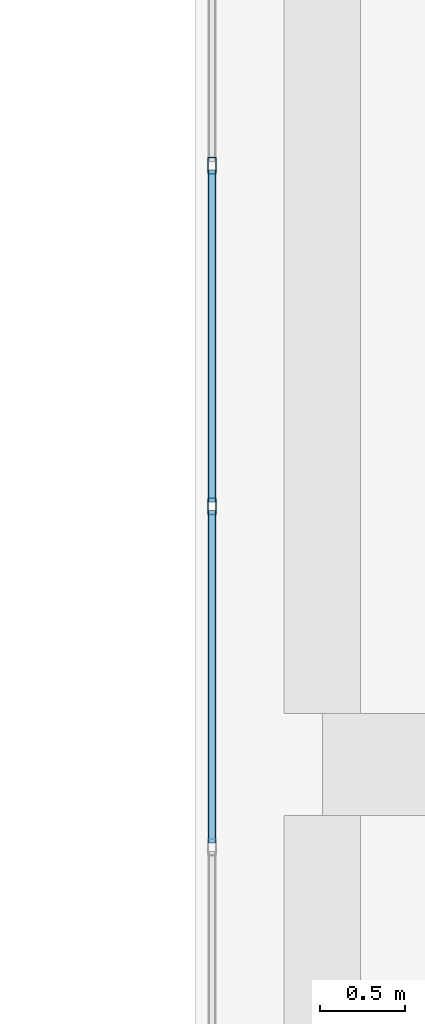
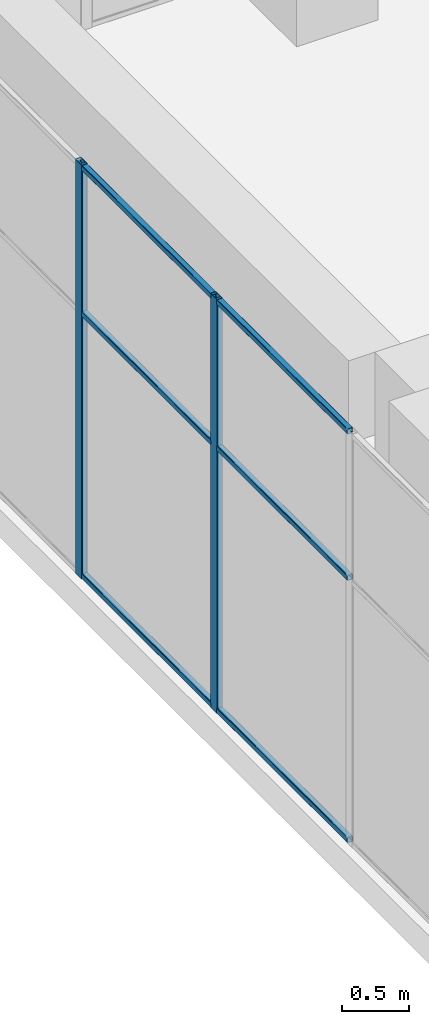
# One storey, part 16 of 43: 8 members, 1 element without a shape of its own.
"""IFC4 building model written with IfcOpenShell, lengths in metres."""

import ifcopenshell
import ifcopenshell.guid

model = None  # the IFC model being written
_history = None  # IfcOwnerHistory: only IFC2X3 demands one
_inside = {}  # id of a spatial element -> (the spatial element, [elements in it])
_under = {}  # id of a project, library or spatial element -> (it, [spatial elements below it])
_declared = {}  # id of a project -> (the project, [libraries it declares])
_typed = {}  # id of a type object -> (the type object, [elements of that type])
_made_of = {}  # id of a material, layer set ... -> (it, [elements and type objects made of it])


def new_model(schema):
    """Start an empty IFC model of exactly this schema.

    Asked for "IFC4X3", IfcOpenShell would pick the latest addendum, in which some entities
    have other attributes; the version numbers below select the first issue.
    IFC2X3 requires an IfcOwnerHistory on every rooted entity: one is made here for all.
    """
    global model, _history
    if schema == "IFC4X3":
        model = ifcopenshell.file(schema_version=(4, 3, 0, 0))
    else:
        model = ifcopenshell.file(schema=schema)
    _inside.clear()
    _under.clear()
    _declared.clear()
    _typed.clear()
    _made_of.clear()
    _history = None
    if model.schema == "IFC2X3":
        org = make("IfcOrganization", Name="unknown")
        user = make(
            "IfcPersonAndOrganization",
            ThePerson=make("IfcPerson", FamilyName="unknown"),
            TheOrganization=org,
        )
        app = make(
            "IfcApplication",
            ApplicationDeveloper=org,
            Version="unknown",
            ApplicationFullName="unknown",
            ApplicationIdentifier="unknown",
        )
        _history = make(
            "IfcOwnerHistory",
            OwningUser=user,
            OwningApplication=app,
            ChangeAction="ADDED",
            CreationDate=0,
        )
    return model


def make(cls, **values):
    """One entity of the class cls with the attributes given. An attribute that is None is left unset."""
    return model.create_entity(
        cls, **{name: value for name, value in values.items() if value is not None}
    )


def rooted(cls, **values):
    """An entity with a GlobalId (a new one), such as an element, a storey or a relation."""
    return make(cls, GlobalId=ifcopenshell.guid.new(), OwnerHistory=_history, **values)


def si_unit(unit_type, name, prefix=None):
    """IfcSIUnit, for example si_unit("LENGTHUNIT", "METRE", prefix="MILLI")."""
    return make("IfcSIUnit", UnitType=unit_type, Prefix=prefix, Name=name)


def assignment(units):
    """IfcUnitAssignment: the units of a project."""
    return None if units is None else make("IfcUnitAssignment", Units=units)


def point(xyz):
    """IfcCartesianPoint."""
    return None if xyz is None else make("IfcCartesianPoint", Coordinates=xyz)


def direction(xyz):
    """IfcDirection."""
    return None if xyz is None else make("IfcDirection", DirectionRatios=xyz)


def frame(location, z_axis=None, x_axis=None):
    """IfcAxis2Placement3D, a coordinate frame: its origin and axes. An axis left out is left unset."""
    return make(
        "IfcAxis2Placement3D",
        Location=point(location),
        Axis=direction(z_axis),
        RefDirection=direction(x_axis),
    )


def frame_2d(location, x_axis=None):
    """IfcAxis2Placement2D, a coordinate frame in the plane: its origin and x axis."""
    return make(
        "IfcAxis2Placement2D", Location=point(location), RefDirection=direction(x_axis)
    )


def origin():
    """The frame at (0, 0, 0) with its axes left unset."""
    return frame((0.0, 0.0, 0.0))


def origin_2d():
    """The frame at (0, 0) in the plane with its x axis left unset."""
    return frame_2d((0.0, 0.0))


def place(relative_to, where):
    """IfcLocalPlacement: puts the frame where relative to a parent placement (None: the world)."""
    return make(
        "IfcLocalPlacement", PlacementRelTo=relative_to, RelativePlacement=where
    )


def context(
    kind, dimensions, precision=None, world=None, true_north=None, identifier=None
):
    """IfcGeometricRepresentationContext, for example the 3D "Model" context."""
    return make(
        "IfcGeometricRepresentationContext",
        ContextIdentifier=identifier,
        ContextType=kind,
        CoordinateSpaceDimension=dimensions,
        Precision=precision,
        WorldCoordinateSystem=world,
        TrueNorth=true_north,
    )


def subcontext(parent, identifier, kind, view, scale=None):
    """IfcGeometricRepresentationSubContext, for example "Body" below "Model"."""
    return make(
        "IfcGeometricRepresentationSubContext",
        ContextIdentifier=identifier,
        ContextType=kind,
        ParentContext=parent,
        TargetScale=scale,
        TargetView=view,
    )


def project(units=None, contexts=None):
    """IfcProject with its units and contexts."""
    return rooted(
        "IfcProject",
        Name="project",
        RepresentationContexts=contexts,
        UnitsInContext=assignment(units),
    )


def spatial(cls, under=None, at=None, **own):
    """A site, building, storey or space (cls), placed at a placement, below another one or the project."""
    s = rooted(cls, ObjectPlacement=at, **own)
    if under is not None:
        _under.setdefault(under.id(), (under, []))[1].append(s)
    return s


def profile(cls, at=None, kind="AREA", **sizes):
    """A parametric profile (cls). Its sizes go by their IFC names, for example OverallWidth=200.0."""
    return make(cls, ProfileType=kind, Position=at, **sizes)


def hollow_rectangle(**sizes):
    """IfcRectangleHollowProfileDef."""
    return profile("IfcRectangleHollowProfileDef", **sizes)


def extrude(swept, where, along, depth):
    """IfcExtrudedAreaSolid: the profile swept, set in the frame where, extruded along a direction by depth."""
    return make(
        "IfcExtrudedAreaSolid",
        SweptArea=swept,
        Position=where,
        ExtrudedDirection=direction(along),
        Depth=depth,
    )


def shape(context_of_items, identifier, shape_type, items):
    """IfcShapeRepresentation: the items that make up one representation, for example the "Body"."""
    return make(
        "IfcShapeRepresentation",
        ContextOfItems=context_of_items,
        RepresentationIdentifier=identifier,
        RepresentationType=shape_type,
        Items=items,
    )


def material(Name=None, Category=None):
    """IfcMaterial."""
    return make("IfcMaterial", Name=Name, Category=Category)


def layer(
    of_material, thickness, ventilated=None, Name=None, Category=None, Priority=None
):
    """IfcMaterialLayer: one layer of a wall or slab, of a material (None: an air gap)."""
    return make(
        "IfcMaterialLayer",
        Material=of_material,
        LayerThickness=thickness,
        IsVentilated=ventilated,
        Name=Name,
        Category=Category,
        Priority=Priority,
    )


def layer_set(layers, Name=None):
    """IfcMaterialLayerSet."""
    return make("IfcMaterialLayerSet", MaterialLayers=layers, LayerSetName=Name)


def material_profile(
    of_material, cross_section, Name=None, Category=None, Priority=None
):
    """IfcMaterialProfile: a cross section and its material."""
    return make(
        "IfcMaterialProfile",
        Name=Name,
        Material=of_material,
        Profile=cross_section,
        Priority=Priority,
        Category=Category,
    )


def profile_set(profiles, Name=None, composite=None):
    """IfcMaterialProfileSet."""
    return make(
        "IfcMaterialProfileSet",
        Name=Name,
        MaterialProfiles=profiles,
        CompositeProfile=composite,
    )


def made_of(thing, what):
    """Note that an element or type object is made of a material, layer set ...; save() writes the relation."""
    if what is not None:
        _made_of.setdefault(what.id(), (what, []))[1].append(thing)
    return thing


def type_object(cls, material=None, **own):
    """A type object (cls), such as IfcWallType, which elements share."""
    return made_of(rooted(cls, **own), material)


def element(
    cls,
    number,
    at=None,
    inside=None,
    cuts=None,
    type_object=None,
    material=None,
    context=None,
    identifier="Body",
    shape_type=None,
    held_by="IfcProductDefinitionShape",
    body=None,
    shapes=None,
    **own,
):
    """One element of the class cls, such as IfcWall. Its Tag is "e" and its number.

    at: its placement. inside: the storey or other place that contains it. cuts: it is an
    opening in that element (IfcRelVoidsElement). A single representation is given by context,
    identifier, shape_type and body (its items); several are given by shapes. held_by: the class
    of the entity that holds the representations. save() writes the other relations.
    """
    e = rooted(cls, Tag="e%d" % number, ObjectPlacement=at, **own)
    if body is not None:
        shapes = [shape(context, identifier, shape_type, body)]
    if shapes is not None:
        e.Representation = make(held_by, Representations=shapes)
    if inside is not None:
        _inside.setdefault(inside.id(), (inside, []))[1].append(e)
    if cuts is not None:
        rooted(
            "IfcRelVoidsElement", RelatingBuildingElement=cuts, RelatedOpeningElement=e
        )
    if type_object is not None:
        _typed.setdefault(type_object.id(), (type_object, []))[1].append(e)
    return made_of(e, material)


def aggregate(whole, parts):
    """IfcRelAggregates: a whole, such as a stair, and the parts it consists of."""
    return rooted("IfcRelAggregates", RelatingObject=whole, RelatedObjects=parts)


def save(model, path):
    """Write the relations noted so far, then the file.

    IfcRelAggregates (storeys below a building ...), IfcRelContainedInSpatialStructure (elements
    in a storey), IfcRelDefinesByType, IfcRelAssociatesMaterial and IfcRelDeclares: one each for
    every whole, place, type object, material and project.
    """
    for whole, parts in _under.values():
        aggregate(whole, parts)
    for where, things in _inside.values():
        rooted(
            "IfcRelContainedInSpatialStructure",
            RelatedElements=things,
            RelatingStructure=where,
        )
    for kind, things in _typed.values():
        rooted("IfcRelDefinesByType", RelatedObjects=things, RelatingType=kind)
    for what, things in _made_of.values():
        rooted("IfcRelAssociatesMaterial", RelatedObjects=things, RelatingMaterial=what)
    for by, libraries in _declared.values():
        rooted("IfcRelDeclares", RelatingContext=by, RelatedDefinitions=libraries)
    model.write(path)


model = new_model("IFC4")

# Units and contexts
model_context = context("Model", 3, precision=1e-05, world=origin(), true_north=direction((0.0, 1.0)))
body_context = subcontext(model_context, "Body", "Model", "MODEL_VIEW")
ifc_project = project(units=[si_unit("LENGTHUNIT", "METRE"), si_unit("AREAUNIT", "SQUARE_METRE"), si_unit("VOLUMEUNIT", "CUBIC_METRE"), si_unit("PLANEANGLEUNIT", "RADIAN"), si_unit("MASSUNIT", "GRAM", prefix="KILO")], contexts=[model_context])

# Site, building, storey
site_placement = place(None, origin())
site = spatial("IfcSite", under=ifc_project, at=site_placement, CompositionType="ELEMENT")
building_placement = place(site_placement, origin())
building = spatial("IfcBuilding", under=site, at=building_placement, Name="Tuart Plaza Theatre", CompositionType="ELEMENT")
storey_placement = place(building_placement, frame((0.0, 0.0, 33.5)))
storey = spatial("IfcBuildingStorey", under=building, at=storey_placement, Name="L08", CompositionType="ELEMENT", Elevation=33.5)

# Curtain wall, members
ifc_material_1 = material(Name="Aluminium and glass", Category="aluminium")
ifc_layer = layer(ifc_material_1, 0.10009765625)
ifc_layer_set = layer_set([ifc_layer], Name="CURTAIN WALL 2000 module")
curtain_wall_type = type_object("IfcCurtainWallType", Name="CURTAIN WALL 2000 module", PredefinedType="NOTDEFINED", material=ifc_layer_set)
curtain_wall_placement = place(storey_placement, origin())
curtain_wall = element("IfcCurtainWall", 1, at=curtain_wall_placement, inside=storey, type_object=curtain_wall_type, Name="CW97", PredefinedType="NOTDEFINED")
ifc_material_2 = material(Name="Aluminium 6063-T5", Category="aluminium")
ifc_material_profile_1 = material_profile(ifc_material_2, hollow_rectangle(XDim=0.050048828125, YDim=0.10009765625, WallThickness=0.00390625, InnerFilletRadius=0.00390625, OuterFilletRadius=0.008056640625, at=origin_2d()), Name="RHS 100x50x4")
ifc_profile_set_1 = profile_set([ifc_material_profile_1], Name="Aluminium 6063-T5")
member_type_1 = type_object("IfcMemberType", Name="MULLION RHS 100x50x4", PredefinedType="MULLION", material=ifc_profile_set_1)
member_1_placement = place(storey_placement, frame((108.85009765625, 86.528564453125, 0.0), z_axis=(0.0, 0.0, 1.0), x_axis=(1.0, 0.0, 0.0)))
member_1 = element("IfcMember", 2, at=member_1_placement, type_object=member_type_1, Name="CW97 mullion 4", PredefinedType="MULLION", context=body_context, shape_type="SweptSolid", body=[
    extrude(hollow_rectangle(XDim=0.050048828125, YDim=0.10009765625, WallThickness=0.00390625, InnerFilletRadius=0.00390625, OuterFilletRadius=0.008056640625, at=origin_2d()), origin(), (0.0, 0.0, 1.0), 3.75),
])
member_2_placement = place(storey_placement, frame((108.85009765625, 84.521484375, 0.0), z_axis=(0.0, 0.0, 1.0), x_axis=(1.0, 0.0, 0.0)))
member_2 = element("IfcMember", 3, at=member_2_placement, type_object=member_type_1, Name="CW97 mullion 5", PredefinedType="MULLION", context=body_context, shape_type="SweptSolid", body=[
    extrude(hollow_rectangle(XDim=0.050048828125, YDim=0.10009765625, WallThickness=0.00390625, InnerFilletRadius=0.00390625, OuterFilletRadius=0.008056640625, at=origin_2d()), origin(), (0.0, 0.0, 1.0), 3.75),
])
ifc_material_3 = material(Name="Aluminium 6063-T5", Category="aluminium")
ifc_material_profile_2 = material_profile(ifc_material_3, hollow_rectangle(XDim=0.050048828125, YDim=0.050048828125, WallThickness=0.00390625, InnerFilletRadius=0.00390625, OuterFilletRadius=0.008056640625, at=origin_2d()), Name="RHS 50x50x4")
ifc_profile_set_2 = profile_set([ifc_material_profile_2], Name="Aluminium 6063-T5")
member_type_2 = type_object("IfcMemberType", Name="TRANSOM RHS 50x50x4", PredefinedType="USERDEFINED", material=ifc_profile_set_2)
member_3_placement = place(storey_placement, frame((108.85009765625, 86.503662109375, 0.02490234375), z_axis=(0.0, -1.0, 0.0), x_axis=(1.0, 0.0, 0.0)))
member_3 = element("IfcMember", 4, at=member_3_placement, type_object=member_type_2, Name="CW97 transom 4.1", ObjectType="TRANSOM", PredefinedType="USERDEFINED", context=body_context, shape_type="SweptSolid", body=[
    extrude(hollow_rectangle(XDim=0.050048828125, YDim=0.050048828125, WallThickness=0.00390625, InnerFilletRadius=0.00390625, OuterFilletRadius=0.008056640625, at=origin_2d()), origin(), (0.0, 0.0, 1.0), 1.957275390625),
])
member_4_placement = place(storey_placement, frame((108.85009765625, 86.503662109375, 2.39990234375), z_axis=(0.0, -1.0, 0.0), x_axis=(1.0, 0.0, 0.0)))
member_4 = element("IfcMember", 5, at=member_4_placement, type_object=member_type_2, Name="CW97 transom 4.2", ObjectType="TRANSOM", PredefinedType="USERDEFINED", context=body_context, shape_type="SweptSolid", body=[
    extrude(hollow_rectangle(XDim=0.050048828125, YDim=0.050048828125, WallThickness=0.00390625, InnerFilletRadius=0.00390625, OuterFilletRadius=0.008056640625, at=origin_2d()), origin(), (0.0, 0.0, 1.0), 1.957275390625),
])
member_5_placement = place(storey_placement, frame((108.85009765625, 86.503662109375, 3.72509765625), z_axis=(0.0, -1.0, 0.0), x_axis=(1.0, 0.0, 0.0)))
member_5 = element("IfcMember", 6, at=member_5_placement, type_object=member_type_2, Name="CW97 transom 4.3", ObjectType="TRANSOM", PredefinedType="USERDEFINED", context=body_context, shape_type="SweptSolid", body=[
    extrude(hollow_rectangle(XDim=0.050048828125, YDim=0.050048828125, WallThickness=0.00390625, InnerFilletRadius=0.00390625, OuterFilletRadius=0.008056640625, at=origin_2d()), origin(), (0.0, 0.0, 1.0), 1.957275390625),
])
member_6_placement = place(storey_placement, frame((108.85009765625, 84.496337890625, 0.02490234375), z_axis=(0.0, -1.0, 0.0), x_axis=(1.0, 0.0, 0.0)))
member_6 = element("IfcMember", 7, at=member_6_placement, type_object=member_type_2, Name="CW97 transom 5.1", ObjectType="TRANSOM", PredefinedType="USERDEFINED", context=body_context, shape_type="SweptSolid", body=[
    extrude(hollow_rectangle(XDim=0.050048828125, YDim=0.050048828125, WallThickness=0.00390625, InnerFilletRadius=0.00390625, OuterFilletRadius=0.008056640625, at=origin_2d()), origin(), (0.0, 0.0, 1.0), 1.95703125),
])
member_7_placement = place(storey_placement, frame((108.85009765625, 84.496337890625, 2.39990234375), z_axis=(0.0, -1.0, 0.0), x_axis=(1.0, 0.0, 0.0)))
member_7 = element("IfcMember", 8, at=member_7_placement, type_object=member_type_2, Name="CW97 transom 5.2", ObjectType="TRANSOM", PredefinedType="USERDEFINED", context=body_context, shape_type="SweptSolid", body=[
    extrude(hollow_rectangle(XDim=0.050048828125, YDim=0.050048828125, WallThickness=0.00390625, InnerFilletRadius=0.00390625, OuterFilletRadius=0.008056640625, at=origin_2d()), origin(), (0.0, 0.0, 1.0), 1.95703125),
])
member_8_placement = place(storey_placement, frame((108.85009765625, 84.496337890625, 3.72509765625), z_axis=(0.0, -1.0, 0.0), x_axis=(1.0, 0.0, 0.0)))
member_8 = element("IfcMember", 9, at=member_8_placement, type_object=member_type_2, Name="CW97 transom 5.3", ObjectType="TRANSOM", PredefinedType="USERDEFINED", context=body_context, shape_type="SweptSolid", body=[
    extrude(hollow_rectangle(XDim=0.050048828125, YDim=0.050048828125, WallThickness=0.00390625, InnerFilletRadius=0.00390625, OuterFilletRadius=0.008056640625, at=origin_2d()), origin(), (0.0, 0.0, 1.0), 1.95703125),
])
aggregate(curtain_wall, [member_1, member_2, member_3, member_4, member_5, member_6, member_7, member_8])

save(model, "model.ifc")
